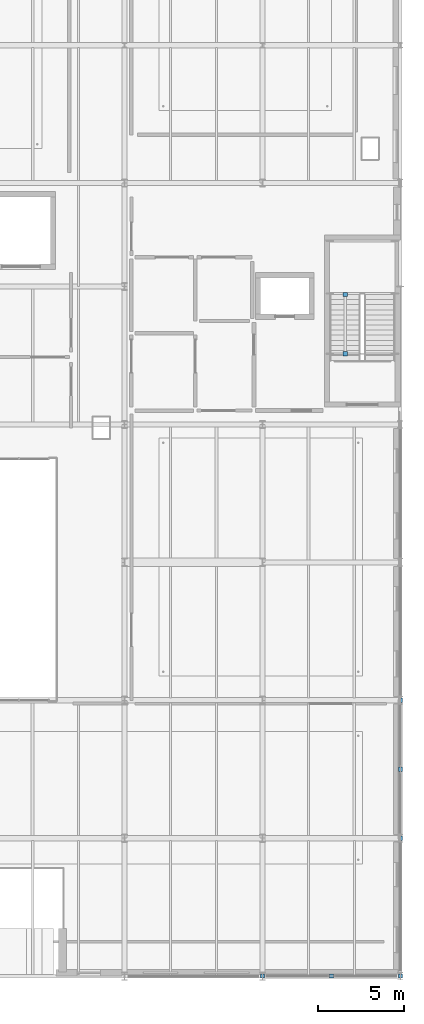
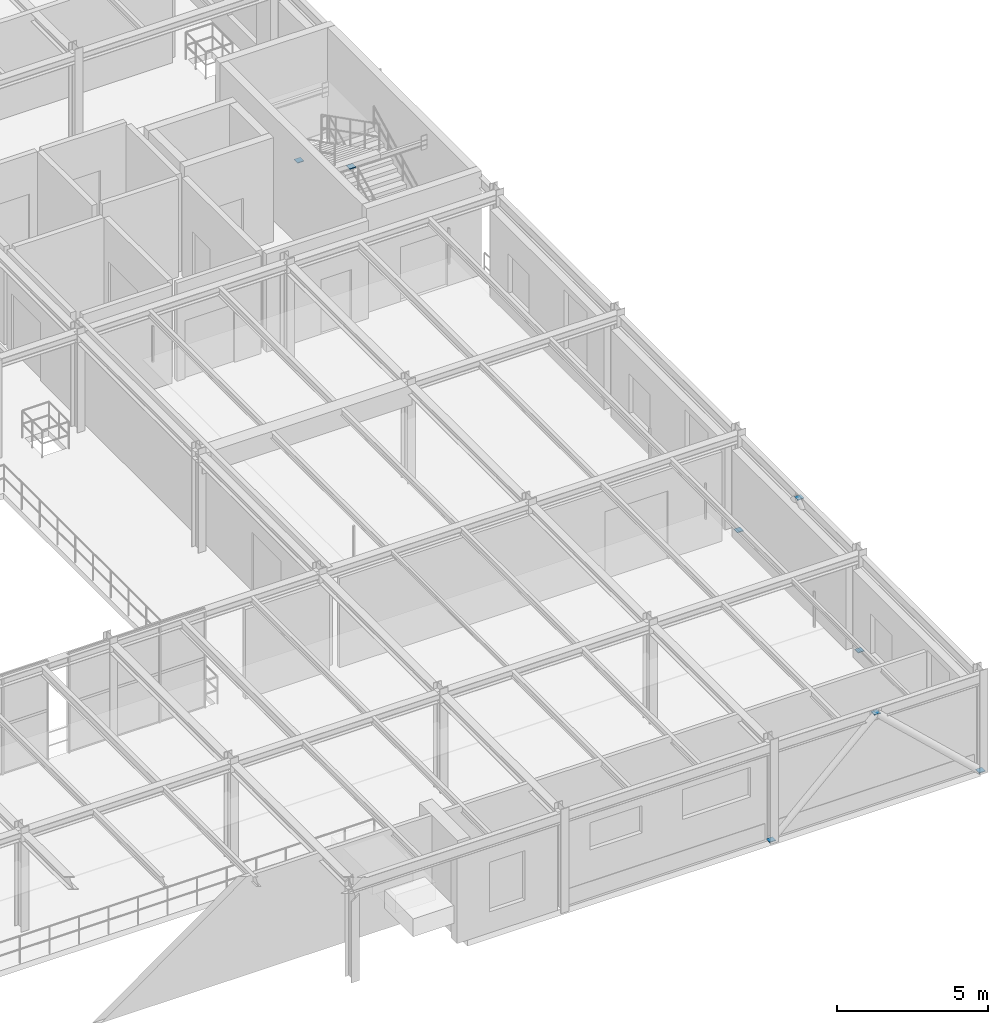
# One storey, part 114 of 124: 8 discrete accessories.
"""IFC4 building model written with IfcOpenShell, lengths in metres."""

from ifc_helpers import new_model, si_unit, direction, frame, origin, origin_2d, place, context, subcontext, project, spatial, rectangle, extrude, material, type_object, element, save


model = new_model("IFC4")

# Units and contexts
model_context = context("Model", 3, precision=1e-05, world=origin(), true_north=direction((0.0, 1.0)))
body_context = subcontext(model_context, "Body", "Model", "MODEL_VIEW")
ifc_project = project(units=[si_unit("LENGTHUNIT", "METRE"), si_unit("AREAUNIT", "SQUARE_METRE"), si_unit("VOLUMEUNIT", "CUBIC_METRE"), si_unit("PLANEANGLEUNIT", "RADIAN"), si_unit("MASSUNIT", "GRAM", prefix="KILO")], contexts=[model_context])

# Site, building, storey
site_placement = place(None, origin())
site = spatial("IfcSite", under=ifc_project, at=site_placement, CompositionType="ELEMENT")
building_placement = place(site_placement, origin())
building = spatial("IfcBuilding", under=site, at=building_placement, Name="Sundkrona Museum", CompositionType="ELEMENT")
storey_placement = place(building_placement, frame((0.0, 0.0, 17.60009765625)))
storey = spatial("IfcBuildingStorey", under=building, at=storey_placement, Name="L03", CompositionType="ELEMENT", Elevation=17.60009765625)

# Discrete accessories
ifc_material = material(Name="Stainless Steel EN 1.4404 Cleat", Category="steel")
discrete_accessory_type = type_object("IfcDiscreteAccessoryType", Name="BRK-FIN-01", PredefinedType="BRACKET", material=ifc_material)
for number, where, z_axis, x_axis, name in (
    (1, (160.0, 0.0, -0.012451171875), (0.0, 0.0, 1.0), (1.0, 0.0, 0.0), "Brace and Strut End Connection Plate BR-L03-005A-1"),
    (2, (164.0, 0.0, 3.7275390625), (0.0, 0.0, 1.0), (1.0, 0.0, 0.0), "Brace and Strut End Connection Plate BR-L03-005A-2"),
    (3, (168.0, 0.0, -0.012451171875), (0.0, 0.0, 1.0), (1.0, 0.0, 0.0), "Brace and Strut End Connection Plate BR-L03-005B-1"),
    (4, (168.0, 8.0, -0.012451171875), (0.0, 0.0, 1.0), (1.0, 0.0, 0.0), "Brace and Strut End Connection Plate BR-L03-011A-1"),
    (5, (168.0, 12.0, 3.7275390625), (0.0, 0.0, 1.0), (1.0, 0.0, 0.0), "Brace and Strut End Connection Plate BR-L03-011A-2"),
    (6, (168.0, 16.0, -0.012451171875), (0.0, 0.0, 1.0), (1.0, 0.0, 0.0), "Brace and Strut End Connection Plate BR-L03-011B-1"),
    (7, (164.800048828125, 39.534912109375, 1.767333984375), (0.0, 0.0, 1.0), (1.0, 0.0, 0.0), "Brace and Strut End Connection Plate RK-ST-ST-1-L03-2-1"),
    (8, (164.800048828125, 36.10009765625, 3.600830078125), (0.0, 0.0, 1.0), (1.0, 0.0, 0.0), "Brace and Strut End Connection Plate RK-ST-ST-1-L03-2-2"),
):
    element("IfcDiscreteAccessory", number, at=place(storey_placement, frame(where, z_axis=z_axis, x_axis=x_axis)), inside=storey, type_object=discrete_accessory_type, Name=name, PredefinedType="BRACKET", context=body_context, shape_type="SweptSolid", body=[
        extrude(rectangle(XDim=0.239990234375, YDim=0.239990234375, at=origin_2d()), origin(), (0.0, 0.0, 1.0), 0.02490234375),
    ])

save(model, "model.ifc")
